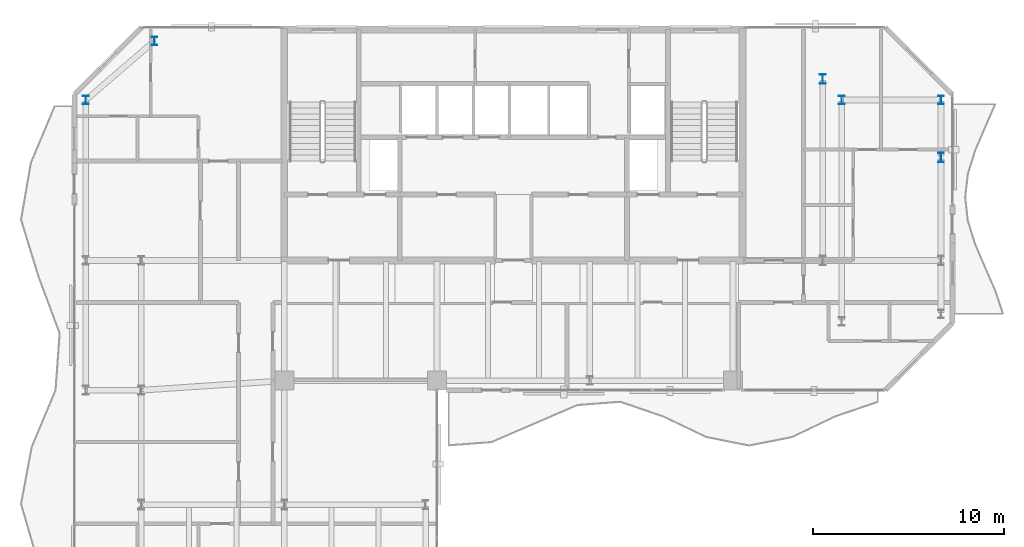
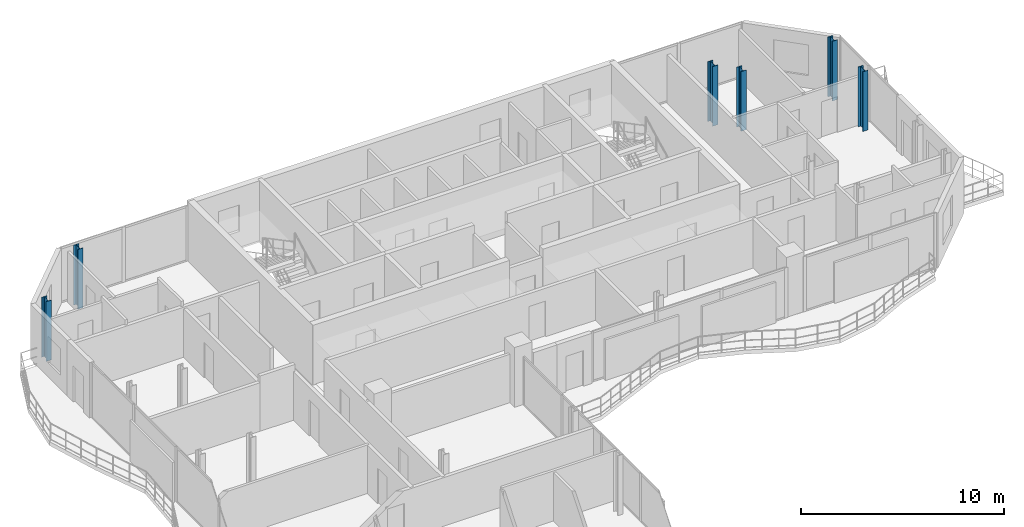
# One storey, part 2 of 23: 6 columns.
"""IFC4 building model written with IfcOpenShell, lengths in metres."""

from ifc_helpers import new_model, si_unit, direction, frame, origin, origin_2d, place, context, subcontext, project, spatial, i_section, extrude, material, material_profile, profile_set, type_object, element, save


model = new_model("IFC4")

# Units and contexts
model_context = context("Model", 3, precision=1e-05, world=origin(), true_north=direction((0.0, 1.0)))
body_context = subcontext(model_context, "Body", "Model", "MODEL_VIEW")
ifc_project = project(units=[si_unit("LENGTHUNIT", "METRE"), si_unit("AREAUNIT", "SQUARE_METRE"), si_unit("VOLUMEUNIT", "CUBIC_METRE"), si_unit("PLANEANGLEUNIT", "RADIAN"), si_unit("MASSUNIT", "GRAM", prefix="KILO")], contexts=[model_context])

# Site, building, storey
site_placement = place(None, origin())
site = spatial("IfcSite", under=ifc_project, at=site_placement, CompositionType="ELEMENT")
building_placement = place(site_placement, origin())
building = spatial("IfcBuilding", under=site, at=building_placement, Name="Catumbela Crestline Tower", CompositionType="ELEMENT")
storey_placement = place(building_placement, frame((0.0, 0.0, 197.4)))
storey = spatial("IfcBuildingStorey", under=building, at=storey_placement, Name="L51", CompositionType="ELEMENT", Elevation=197.4)

# Columns
ifc_material = material(Name="Structural steel S355J2", Category="steel")
ifc_material_profile_1 = material_profile(ifc_material, i_section(OverallWidth=0.3, OverallDepth=0.45, WebThickness=0.014, FlangeThickness=0.026, FilletRadius=0.027, at=origin_2d()), Name="HEB 450")
ifc_profile_set_1 = profile_set([ifc_material_profile_1], Name="Structural steel S355J2")
column_type_1 = type_object("IfcColumnType", Name="C-ST-HEB450", PredefinedType="COLUMN", material=ifc_profile_set_1)
for number, where, z_axis, x_axis, name in (
    (1, (5.6, 39.2, 0.0), (0.0, 0.0, 1.0), (1.0, 0.0, 0.0), "L51 Column C-05-43 (HEB 450)"),
    (2, (9.2, 42.3, 0.0), (0.0, 0.0, 1.0), (1.0, 0.0, 0.0), "L51 Column C-08-43 (HEB 450)"),
    (3, (45.2, 39.2, 0.0), (0.0, 0.0, 1.0), (1.0, 0.0, 0.0), "L51 Column C-46-43 (HEB 450)"),
    (4, (50.4, 39.2, 0.0), (0.0, 0.0, 1.0), (1.0, 0.0, 0.0), "L51 Column C-51-43 (HEB 450)"),
):
    element("IfcColumn", number, at=place(storey_placement, frame(where, z_axis=z_axis, x_axis=x_axis)), inside=storey, type_object=column_type_1, Name=name, PredefinedType="COLUMN", context=body_context, shape_type="SweptSolid", body=[
        extrude(i_section(OverallWidth=0.3, OverallDepth=0.45, WebThickness=0.014, FlangeThickness=0.026, FilletRadius=0.027, at=origin_2d()), origin(), (0.0, 0.0, 1.0), 3.6),
    ])
ifc_material_profile_2 = material_profile(ifc_material, i_section(OverallWidth=0.3, OverallDepth=0.5, WebThickness=0.0145, FlangeThickness=0.028, FilletRadius=0.027, at=origin_2d()), Name="HEB 500")
ifc_profile_set_2 = profile_set([ifc_material_profile_2], Name="Structural steel S355J2")
column_type_2 = type_object("IfcColumnType", Name="C-ST-HEB500", PredefinedType="COLUMN", material=ifc_profile_set_2)
for number, where, z_axis, x_axis, name in (
    (5, (44.2, 40.3, 0.0), (0.0, 0.0, 1.0), (1.0, 0.0, 0.0), "L51 Column CT-46-37 (HEB 500)"),
    (6, (50.4, 36.2, 0.0), (0.0, 0.0, 1.0), (1.0, 0.0, 0.0), "L51 Column CT-51-37 (HEB 500)"),
):
    element("IfcColumn", number, at=place(storey_placement, frame(where, z_axis=z_axis, x_axis=x_axis)), inside=storey, type_object=column_type_2, Name=name, PredefinedType="COLUMN", context=body_context, shape_type="SweptSolid", body=[
        extrude(i_section(OverallWidth=0.3, OverallDepth=0.5, WebThickness=0.0145, FlangeThickness=0.028, FilletRadius=0.027, at=origin_2d()), origin(), (0.0, 0.0, 1.0), 3.6),
    ])

save(model, "model.ifc")
